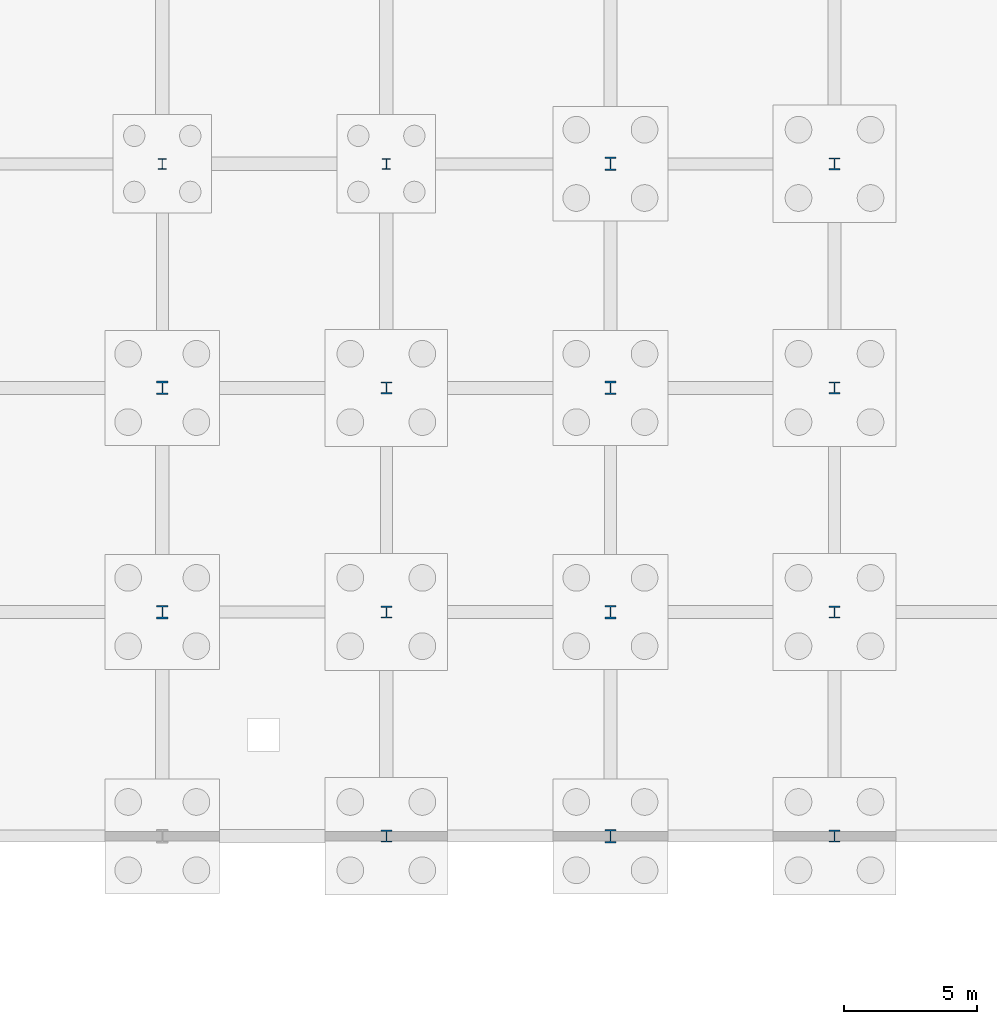
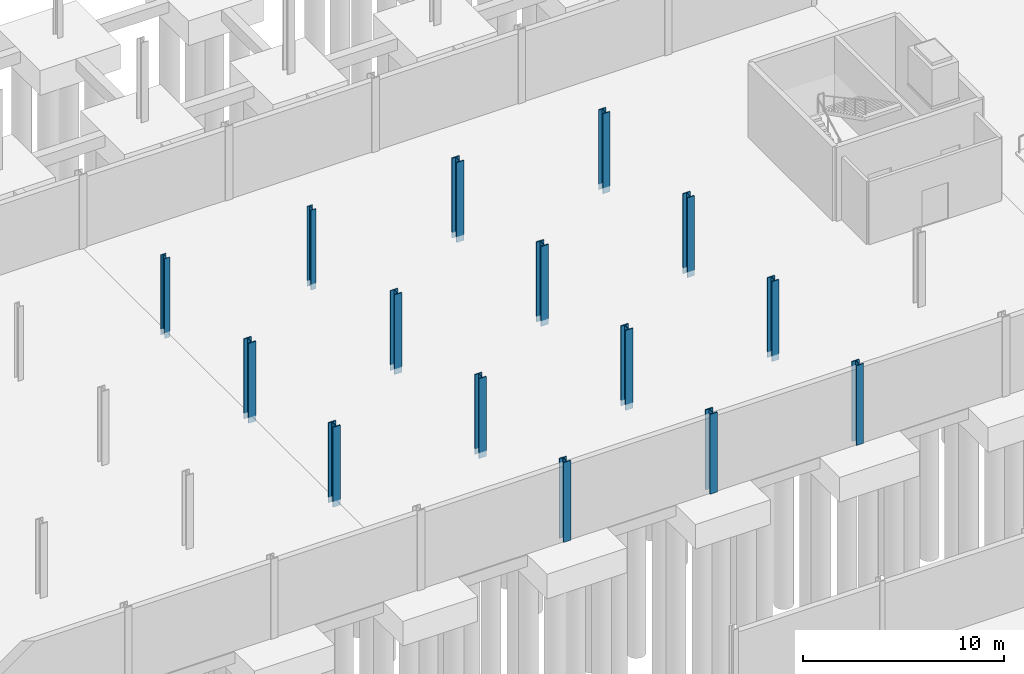
# One storey, part 23 of 51: 15 columns.
"""IFC4 building model written with IfcOpenShell, lengths in metres."""

from ifc_helpers import new_model, si_unit, direction, frame, origin, origin_2d, place, context, subcontext, project, spatial, i_section, extrude, material, material_profile, profile_set, type_object, element, save


model = new_model("IFC4")

# Units and contexts
model_context = context("Model", 3, precision=1e-05, world=origin(), true_north=direction((0.0, 1.0)))
body_context = subcontext(model_context, "Body", "Model", "MODEL_VIEW")
ifc_project = project(units=[si_unit("LENGTHUNIT", "METRE"), si_unit("AREAUNIT", "SQUARE_METRE"), si_unit("VOLUMEUNIT", "CUBIC_METRE"), si_unit("PLANEANGLEUNIT", "RADIAN"), si_unit("MASSUNIT", "GRAM", prefix="KILO")], contexts=[model_context])

# Site, building, storey
site_placement = place(None, origin())
site = spatial("IfcSite", under=ifc_project, at=site_placement, CompositionType="ELEMENT")
building_placement = place(site_placement, origin())
building = spatial("IfcBuilding", under=site, at=building_placement, Name="Qalvenar Corner Mobility Hub", CompositionType="ELEMENT")
storey_placement = place(building_placement, frame((0.0, 0.0, -4.5)))
storey = spatial("IfcBuildingStorey", under=building, at=storey_placement, Name="B1", CompositionType="ELEMENT", Elevation=-4.5)

# Columns
ifc_material = material(Name="Steel S355", Category="steel")
ifc_material_profile_1 = material_profile(ifc_material, i_section(OverallWidth=0.412109375, OverallDepth=0.455078125, WebThickness=0.030517578125, FlangeThickness=0.049072265625, FilletRadius=0.014892578125, at=origin_2d()), Name="HD400x421")
ifc_profile_set_1 = profile_set([ifc_material_profile_1], Name="Steel S355")
column_type_1 = type_object("IfcColumnType", Name="COL-HD400X382", PredefinedType="COLUMN", material=ifc_profile_set_1)
for number, where, z_axis, x_axis, name in (
    (1, (109.199951171875, 67.199951171875, -0.35009765625), (0.0, 0.0, 1.0), (1.0, 0.0, 0.0), "Steel Column B1-G14-8"),
    (2, (109.199951171875, 75.60009765625, -0.35009765625), (0.0, 0.0, 1.0), (1.0, 0.0, 0.0), "Steel Column B1-G14-9"),
    (3, (109.199951171875, 84.0, -0.35009765625), (0.0, 0.0, 1.0), (1.0, 0.0, 0.0), "Steel Column B1-G14-10"),
    (4, (126.0, 67.199951171875, -0.35009765625), (0.0, 0.0, 1.0), (1.0, 0.0, 0.0), "Steel Column B1-G16-8"),
    (5, (126.0, 75.60009765625, -0.35009765625), (0.0, 0.0, 1.0), (1.0, 0.0, 0.0), "Steel Column B1-G16-9"),
    (6, (126.0, 84.0, -0.35009765625), (0.0, 0.0, 1.0), (1.0, 0.0, 0.0), "Steel Column B1-G16-10"),
    (7, (126.0, 92.39990234375, -0.35009765625), (0.0, 0.0, 1.0), (1.0, 0.0, 0.0), "Steel Column B1-G16-11"),
):
    element("IfcColumn", number, at=place(storey_placement, frame(where, z_axis=z_axis, x_axis=x_axis)), inside=storey, type_object=column_type_1, Name=name, PredefinedType="COLUMN", context=body_context, shape_type="SweptSolid", body=[
        extrude(i_section(OverallWidth=0.412109375, OverallDepth=0.455078125, WebThickness=0.030517578125, FlangeThickness=0.049072265625, FilletRadius=0.014892578125, at=origin_2d()), origin(), (0.0, 0.0, 1.0), 4.85009765625),
    ])
ifc_material_profile_2 = material_profile(ifc_material, i_section(OverallWidth=0.419921875, OverallDepth=0.5048828125, WebThickness=0.03662109375, FlangeThickness=0.05908203125, FilletRadius=0.014892578125, at=origin_2d()), Name="HD400x551")
ifc_profile_set_2 = profile_set([ifc_material_profile_2], Name="Steel S355")
column_type_2 = type_object("IfcColumnType", Name="COL-HD400X463", PredefinedType="COLUMN", material=ifc_profile_set_2)
for number, where, z_axis, x_axis, name in (
    (8, (100.800048828125, 75.60009765625, -0.35009765625), (0.0, 0.0, 1.0), (1.0, 0.0, 0.0), "Steel Column B1-G13-9"),
    (9, (100.800048828125, 84.0, -0.35009765625), (0.0, 0.0, 1.0), (1.0, 0.0, 0.0), "Steel Column B1-G13-10"),
    (10, (117.60009765625, 67.199951171875, -0.35009765625), (0.0, 0.0, 1.0), (1.0, 0.0, 0.0), "Steel Column B1-G15-8"),
    (11, (117.60009765625, 75.60009765625, -0.35009765625), (0.0, 0.0, 1.0), (1.0, 0.0, 0.0), "Steel Column B1-G15-9"),
    (12, (117.60009765625, 84.0, -0.35009765625), (0.0, 0.0, 1.0), (1.0, 0.0, 0.0), "Steel Column B1-G15-10"),
    (13, (117.60009765625, 92.39990234375, -0.35009765625), (0.0, 0.0, 1.0), (1.0, 0.0, 0.0), "Steel Column B1-G15-11"),
):
    element("IfcColumn", number, at=place(storey_placement, frame(where, z_axis=z_axis, x_axis=x_axis)), inside=storey, type_object=column_type_2, Name=name, PredefinedType="COLUMN", context=body_context, shape_type="SweptSolid", body=[
        extrude(i_section(OverallWidth=0.419921875, OverallDepth=0.5048828125, WebThickness=0.03662109375, FlangeThickness=0.05908203125, FilletRadius=0.014892578125, at=origin_2d()), origin(), (0.0, 0.0, 1.0), 4.85009765625),
    ])
ifc_material_profile_3 = material_profile(ifc_material, i_section(OverallWidth=0.300048828125, OverallDepth=0.39990234375, WebThickness=0.013427734375, FlangeThickness=0.02392578125, FilletRadius=0.027099609375, at=origin_2d()), Name="HEB400")
ifc_profile_set_3 = profile_set([ifc_material_profile_3], Name="Steel S355")
column_type_3 = type_object("IfcColumnType", Name="COL-HEB400", PredefinedType="COLUMN", material=ifc_profile_set_3)
for number, where, z_axis, x_axis, name in (
    (14, (100.800048828125, 92.39990234375, -0.35009765625), (0.0, 0.0, 1.0), (1.0, 0.0, 0.0), "Steel Column B1-G13-11"),
    (15, (109.199951171875, 92.39990234375, -0.35009765625), (0.0, 0.0, 1.0), (1.0, 0.0, 0.0), "Steel Column B1-G14-11"),
):
    element("IfcColumn", number, at=place(storey_placement, frame(where, z_axis=z_axis, x_axis=x_axis)), inside=storey, type_object=column_type_3, Name=name, PredefinedType="COLUMN", context=body_context, shape_type="SweptSolid", body=[
        extrude(i_section(OverallWidth=0.300048828125, OverallDepth=0.39990234375, WebThickness=0.013427734375, FlangeThickness=0.02392578125, FilletRadius=0.027099609375, at=origin_2d()), origin(), (0.0, 0.0, 1.0), 4.85009765625),
    ])

save(model, "model.ifc")
